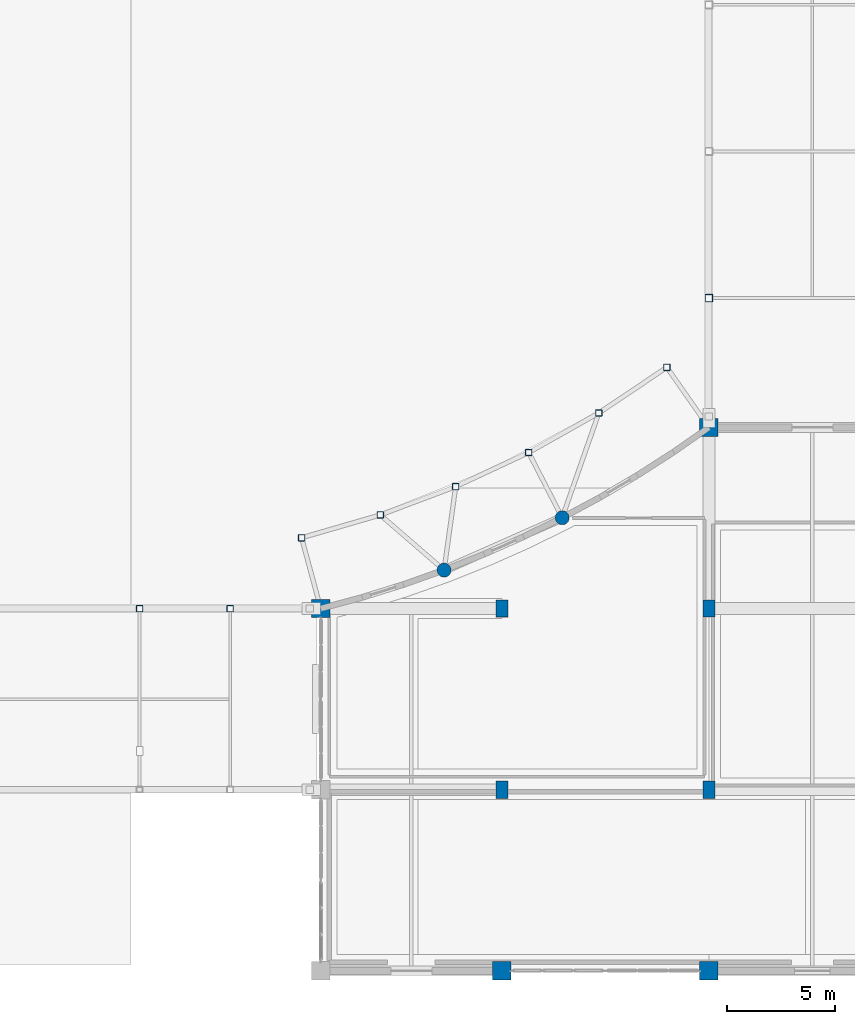
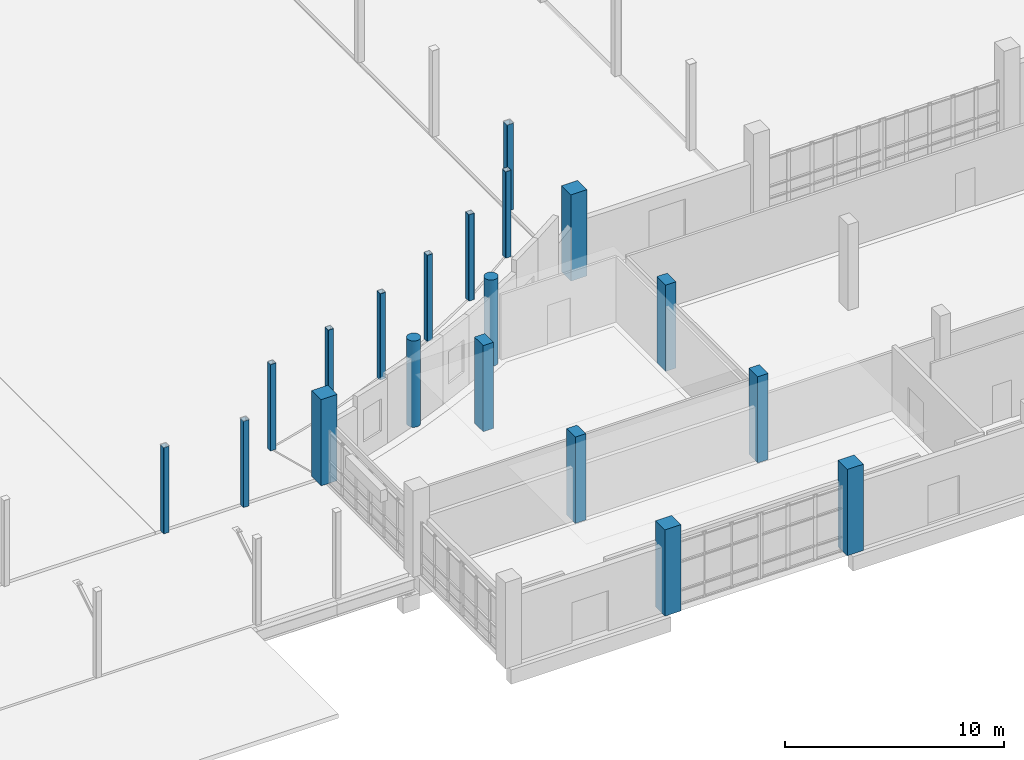
# One storey, part 6 of 97: 19 columns.
"""IFC4 building model written with IfcOpenShell, lengths in metres."""

from ifc_helpers import new_model, si_unit, direction, frame, origin, origin_2d, place, context, subcontext, project, spatial, rectangle, hollow_rectangle, circle, extrude, material, material_profile, profile_set, type_object, element, save


model = new_model("IFC4")

# Units and contexts
model_context = context("Model", 3, precision=1e-05, world=origin(), true_north=direction((0.0, 1.0)))
body_context = subcontext(model_context, "Body", "Model", "MODEL_VIEW")
ifc_project = project(units=[si_unit("LENGTHUNIT", "METRE"), si_unit("AREAUNIT", "SQUARE_METRE"), si_unit("VOLUMEUNIT", "CUBIC_METRE"), si_unit("PLANEANGLEUNIT", "RADIAN"), si_unit("MASSUNIT", "GRAM", prefix="KILO")], contexts=[model_context])

# Site, building, storey
site_placement = place(None, origin())
site = spatial("IfcSite", under=ifc_project, at=site_placement, CompositionType="ELEMENT")
building_placement = place(site_placement, origin())
building = spatial("IfcBuilding", under=site, at=building_placement, Name="Kisaragi Civic Commons", CompositionType="ELEMENT")
storey_placement = place(building_placement, origin())
storey = spatial("IfcBuildingStorey", under=building, at=storey_placement, Name="L00", CompositionType="ELEMENT", Elevation=0.0)

# Columns
ifc_material_1 = material(Name="Concrete Fc36", Category="concrete")
ifc_material_profile_1 = material_profile(ifc_material_1, rectangle(XDim=0.85009765625, YDim=0.85009765625, at=origin_2d()), Name="RC-850x850", Category="concrete")
ifc_profile_set_1 = profile_set([ifc_material_profile_1], Name="Concrete Fc36")
column_type_1 = type_object("IfcColumnType", Name="C-05", PredefinedType="COLUMN", material=ifc_profile_set_1)
for number, where, z_axis, x_axis, name in (
    (1, (105.60009765625, 16.800048828125, 0.0), (0.0, 0.0, 1.0), (1.0, 0.0, 0.0), "L00 column C-05 (105.6,16.8)"),
    (2, (114.0, 0.0, 0.0), (0.0, 0.0, 1.0), (1.0, 0.0, 0.0), "L00 column C-05 (114.0,0.0)"),
    (3, (123.60009765625, 0.0, 0.0), (0.0, 0.0, 1.0), (1.0, 0.0, 0.0), "L00 column C-05 (123.6,0.0)"),
    (4, (123.60009765625, 25.199951171875, 0.0), (0.0, 0.0, 1.0), (1.0, 0.0, 0.0), "L00 column C-05 (123.6,25.2)"),
):
    element("IfcColumn", number, at=place(storey_placement, frame(where, z_axis=z_axis, x_axis=x_axis)), inside=storey, type_object=column_type_1, Name=name, PredefinedType="COLUMN", context=body_context, shape_type="SweptSolid", body=[
        extrude(rectangle(XDim=0.85009765625, YDim=0.85009765625, at=origin_2d()), origin(), (0.0, 0.0, 1.0), 4.800048828125),
    ])
ifc_material_2 = material(Name="Concrete Fc30", Category="concrete")
ifc_material_profile_2 = material_profile(ifc_material_2, circle(Radius=0.324951171875, at=origin_2d()), Name="RC-D650", Category="concrete")
ifc_profile_set_2 = profile_set([ifc_material_profile_2], Name="Concrete Fc30")
column_type_2 = type_object("IfcColumnType", Name="C-12", PredefinedType="COLUMN", material=ifc_profile_set_2)
for number, where, z_axis, x_axis, name in (
    (5, (111.3212890625, 18.5830078125, 0.0), (0.0, 0.0, 1.0), (1.0, 0.0, 0.0), "L00 column C-12 (111.3,18.6)"),
    (6, (116.79931640625, 21.01220703125, 0.0), (0.0, 0.0, 1.0), (1.0, 0.0, 0.0), "L00 column C-12 (116.8,21.0)"),
):
    element("IfcColumn", number, at=place(storey_placement, frame(where, z_axis=z_axis, x_axis=x_axis)), inside=storey, type_object=column_type_2, Name=name, PredefinedType="COLUMN", context=body_context, shape_type="SweptSolid", body=[
        extrude(circle(Radius=0.324951171875, at=origin_2d()), origin(), (0.0, 0.0, 1.0), 4.800048828125),
    ])
ifc_material_3 = material(Name="Steel BCR295", Category="steel")
ifc_material_profile_3 = material_profile(ifc_material_3, hollow_rectangle(XDim=0.35009765625, YDim=0.35009765625, WallThickness=0.011962890625, InnerFilletRadius=0.011962890625, OuterFilletRadius=0.02392578125, at=origin_2d()), Name="BCR-350x350x12", Category="steel")
ifc_profile_set_3 = profile_set([ifc_material_profile_3], Name="Steel BCR295")
column_type_3 = type_object("IfcColumnType", Name="C-13", PredefinedType="COLUMN", material=ifc_profile_set_3)
column_placement = place(storey_placement, frame((123.60009765625, 31.199951171875, 0.0), z_axis=(0.0, 0.0, 1.0), x_axis=(1.0, 0.0, 0.0)))
element("IfcColumn", 7, at=column_placement, inside=storey, type_object=column_type_3, Name="L00 column C-13 (123.6,31.2)", PredefinedType="COLUMN", context=body_context, shape_type="SweptSolid", body=[
    extrude(hollow_rectangle(XDim=0.35009765625, YDim=0.35009765625, WallThickness=0.011962890625, InnerFilletRadius=0.011962890625, OuterFilletRadius=0.02392578125, at=origin_2d()), origin(), (0.0, 0.0, 1.0), 4.800048828125),
])
ifc_material_profile_4 = material_profile(ifc_material_3, hollow_rectangle(XDim=0.300048828125, YDim=0.300048828125, WallThickness=0.011962890625, InnerFilletRadius=0.011962890625, OuterFilletRadius=0.02392578125, at=origin_2d()), Name="BCR-300x300x12", Category="steel")
ifc_profile_set_4 = profile_set([ifc_material_profile_4], Name="Steel BCR295")
column_type_4 = type_object("IfcColumnType", Name="C-14", PredefinedType="COLUMN", material=ifc_profile_set_4)
for number, where, z_axis, x_axis, name in (
    (8, (97.199951171875, 16.800048828125, 0.0), (0.0, 0.0, 1.0), (1.0, 0.0, 0.0), "L00 column C-14 (97.2,16.8)"),
    (9, (101.39990234375, 16.800048828125, 0.0), (0.0, 0.0, 1.0), (1.0, 0.0, 0.0), "L00 column C-14 (101.4,16.8)"),
):
    element("IfcColumn", number, at=place(storey_placement, frame(where, z_axis=z_axis, x_axis=x_axis)), inside=storey, type_object=column_type_4, Name=name, PredefinedType="COLUMN", context=body_context, shape_type="SweptSolid", body=[
        extrude(hollow_rectangle(XDim=0.300048828125, YDim=0.300048828125, WallThickness=0.011962890625, InnerFilletRadius=0.011962890625, OuterFilletRadius=0.02392578125, at=origin_2d()), origin(), (0.0, 0.0, 1.0), 4.800048828125),
    ])
ifc_material_profile_5 = material_profile(ifc_material_3, hollow_rectangle(XDim=0.300048828125, YDim=0.300048828125, WallThickness=0.012939453125, InnerFilletRadius=0.012939453125, OuterFilletRadius=0.02587890625, at=origin_2d()), Name="BCR-300x300x13", Category="steel")
ifc_profile_set_5 = profile_set([ifc_material_profile_5], Name="Steel BCR295")
column_type_5 = type_object("IfcColumnType", Name="C-15", PredefinedType="COLUMN", material=ifc_profile_set_5)
for number, where, z_axis, x_axis, name in (
    (10, (104.7138671875, 20.08251953125, 0.0), (0.0, 0.0, 1.0), (1.0, 0.0, 0.0), "L00 column C-15 (104.7,20.1)"),
    (11, (108.363525390625, 21.1416015625, 0.0), (0.0, 0.0, 1.0), (1.0, 0.0, 0.0), "L00 column C-15 (108.4,21.1)"),
    (12, (111.859619140625, 22.456298828125, 0.0), (0.0, 0.0, 1.0), (1.0, 0.0, 0.0), "L00 column C-15 (111.9,22.5)"),
    (13, (115.244140625, 24.035888671875, 0.0), (0.0, 0.0, 1.0), (1.0, 0.0, 0.0), "L00 column C-15 (115.2,24.0)"),
    (14, (118.497314453125, 25.87060546875, 0.0), (0.0, 0.0, 1.0), (1.0, 0.0, 0.0), "L00 column C-15 (118.5,25.9)"),
    (15, (121.6533203125, 27.987548828125, 0.0), (0.0, 0.0, 1.0), (1.0, 0.0, 0.0), "L00 column C-15 (121.7,28.0)"),
):
    element("IfcColumn", number, at=place(storey_placement, frame(where, z_axis=z_axis, x_axis=x_axis)), inside=storey, type_object=column_type_5, Name=name, PredefinedType="COLUMN", context=body_context, shape_type="SweptSolid", body=[
        extrude(hollow_rectangle(XDim=0.300048828125, YDim=0.300048828125, WallThickness=0.012939453125, InnerFilletRadius=0.012939453125, OuterFilletRadius=0.02587890625, at=origin_2d()), origin(), (0.0, 0.0, 1.0), 4.800048828125),
    ])
ifc_material_profile_6 = material_profile(ifc_material_1, rectangle(XDim=0.550048828125, YDim=0.800048828125, at=origin_2d()), Name="RC-550x800", Category="concrete")
ifc_profile_set_6 = profile_set([ifc_material_profile_6], Name="Concrete Fc36")
column_type_6 = type_object("IfcColumnType", Name="C-23", PredefinedType="COLUMN", material=ifc_profile_set_6)
for number, where, z_axis, x_axis, name in (
    (16, (114.0, 8.39990234375, 0.0), (0.0, 0.0, 1.0), (1.0, 0.0, 0.0), "L00 column C-23 (114.0,8.4)"),
    (17, (114.0, 16.800048828125, 0.0), (0.0, 0.0, 1.0), (1.0, 0.0, 0.0), "L00 column C-23 (114.0,16.8)"),
    (18, (123.60009765625, 8.39990234375, 0.0), (0.0, 0.0, 1.0), (1.0, 0.0, 0.0), "L00 column C-23 (123.6,8.4)"),
    (19, (123.60009765625, 16.800048828125, 0.0), (0.0, 0.0, 1.0), (1.0, 0.0, 0.0), "L00 column C-23 (123.6,16.8)"),
):
    element("IfcColumn", number, at=place(storey_placement, frame(where, z_axis=z_axis, x_axis=x_axis)), inside=storey, type_object=column_type_6, Name=name, PredefinedType="COLUMN", context=body_context, shape_type="SweptSolid", body=[
        extrude(rectangle(XDim=0.550048828125, YDim=0.800048828125, at=origin_2d()), origin(), (0.0, 0.0, 1.0), 4.800048828125),
    ])

save(model, "model.ifc")
